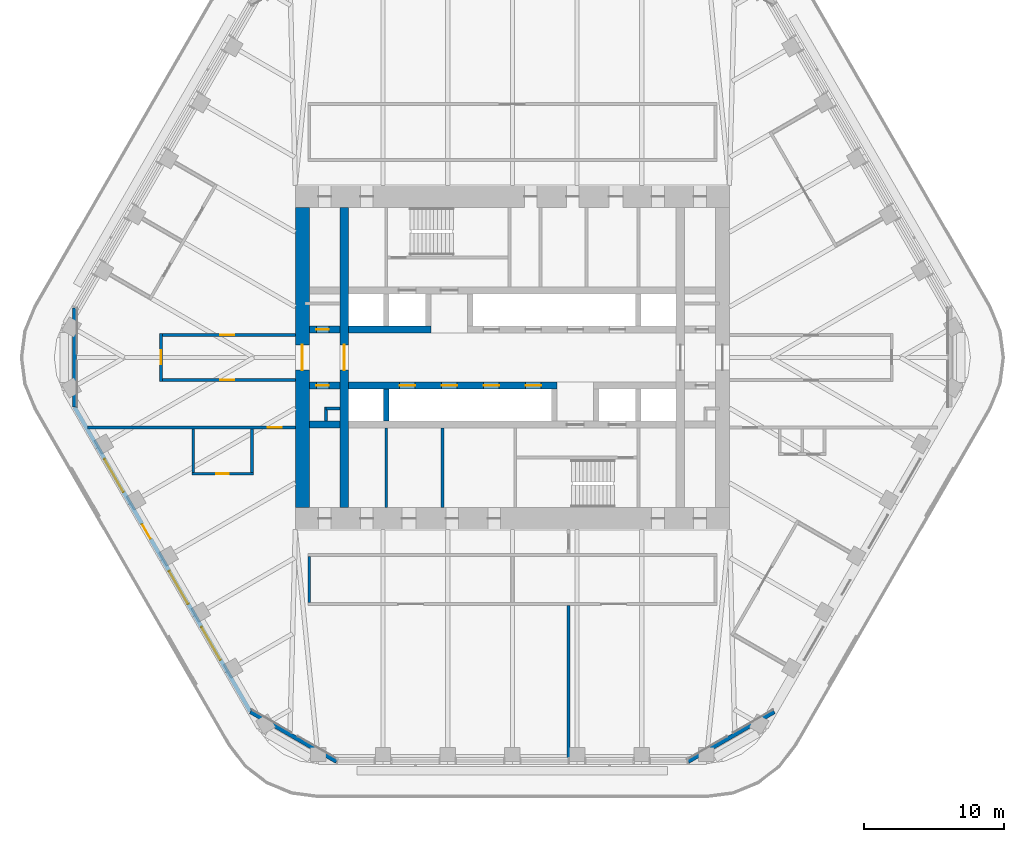
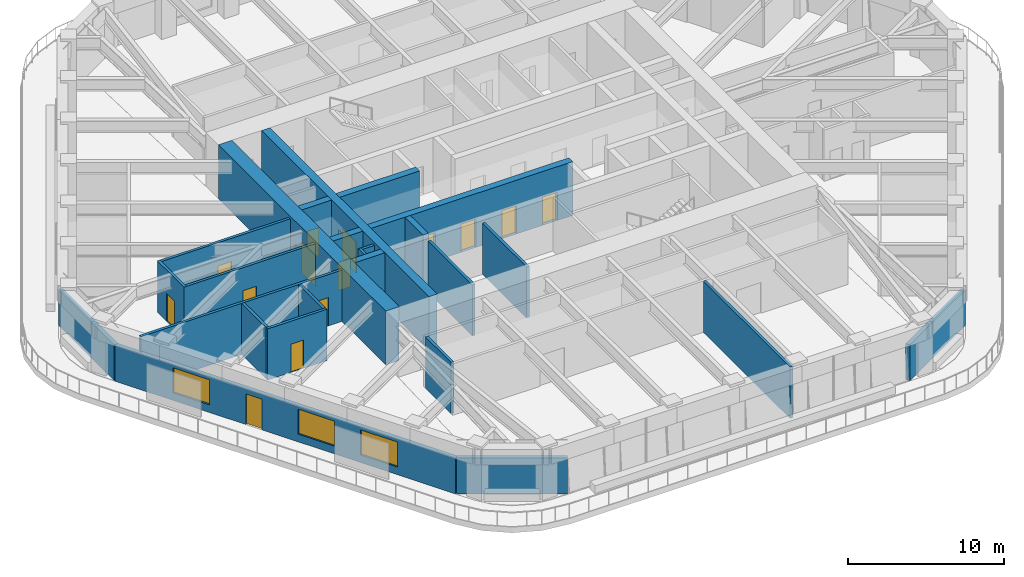
# One storey, part 14 of 20: 25 walls, 14 doors, 3 windows, 17 openings.
"""IFC4 building model written with IfcOpenShell, lengths in metres."""

from ifc_helpers import new_model, si_unit, direction, frame, frame_2d, origin, place, context, subcontext, project, spatial, rectangle, extrude, material, layer, layer_set, type_object, element, fill, save


model = new_model("IFC4")

# Units and contexts
model_context = context("Model", 3, precision=1e-05, world=origin(), true_north=direction((0.0, 1.0)))
body_context = subcontext(model_context, "Body", "Model", "MODEL_VIEW")
ifc_project = project(units=[si_unit("LENGTHUNIT", "METRE"), si_unit("AREAUNIT", "SQUARE_METRE"), si_unit("VOLUMEUNIT", "CUBIC_METRE"), si_unit("PLANEANGLEUNIT", "RADIAN"), si_unit("MASSUNIT", "GRAM", prefix="KILO")], contexts=[model_context])

# Site, building, storey
site_placement = place(None, origin())
site = spatial("IfcSite", under=ifc_project, at=site_placement, CompositionType="ELEMENT")
building_placement = place(site_placement, origin())
building = spatial("IfcBuilding", under=site, at=building_placement, Name="Tarfa Lantern Tower", CompositionType="ELEMENT")
storey_placement = place(building_placement, frame((0.0, 0.0, 286.89990234375)))
storey = spatial("IfcBuildingStorey", under=building, at=storey_placement, Name="L65", CompositionType="ELEMENT", Elevation=286.89990234375)

# Walls
ifc_material_1 = material(Name="Limestone cladding on blockwork", Category="masonry")
ifc_layer_1 = layer(ifc_material_1, 0.300048828125)
ifc_layer_set_1 = layer_set([ifc_layer_1], Name="EW1 STONE-CLAD WALL 300")
wall_type_1 = type_object("IfcWallType", Name="EW1 STONE-CLAD WALL 300", PredefinedType="SOLIDWALL", material=ifc_layer_set_1)
wall_1_placement = place(storey_placement, frame((-31.262939453125, 3.55078125, 0.0), z_axis=(0.0, 0.0, 1.0), x_axis=(0.0, -1.0, 0.0)))
element("IfcWall", 1, at=wall_1_placement, inside=storey, type_object=wall_type_1, Name="Garden wall NW-SW", PredefinedType="SOLIDWALL", context=body_context, shape_type="SweptSolid", body=[
    extrude(rectangle(XDim=7.1015625, YDim=0.300048828125, at=frame_2d((3.55078125, 0.0))), origin(), (0.0, 0.0, 1.0), 2.800048828125),
])
for number, where, z_axis, x_axis, name in (
    (2, (-18.70654296875, -25.299072265625, 0.0), (0.0, 0.0, 1.0), (0.866010973379, -0.500024993363, 0.0), "Garden wall SW-S"),
    (3, (12.556396484375, -28.85009765625, 0.0), (0.0, 0.0, 1.0), (0.866010973379, 0.500024993363, 0.0), "Garden wall S-SE"),
):
    element("IfcWall", number, at=place(storey_placement, frame(where, z_axis=z_axis, x_axis=x_axis)), inside=storey, type_object=wall_type_1, Name=name, PredefinedType="SOLIDWALL", context=body_context, shape_type="SweptSolid", body=[
        extrude(rectangle(XDim=7.101806640625, YDim=0.300048828125, at=frame_2d((3.55078125, 0.0))), origin(), (0.0, 0.0, 1.0), 2.800048828125),
    ])

# Wall, openings, door, windows
wall_2_placement = place(storey_placement, frame((-31.262939453125, -3.55078125, 0.0), z_axis=(0.0, 0.0, 1.0), x_axis=(0.500000442367, -0.866025148383, 0.0)))
wall_2 = element("IfcWall", 4, at=wall_2_placement, inside=storey, type_object=wall_type_1, Name="Stone wall SW", PredefinedType="SOLIDWALL", context=body_context, shape_type="SweptSolid", body=[
    extrude(rectangle(XDim=25.11279296875, YDim=0.300048828125, at=frame_2d((12.556396484375, 0.0))), origin(), (0.0, 0.0, 1.0), 2.800048828125),
])
opening_1_placement = place(wall_2_placement, frame((4.2783203125, 0.0, 0.60009765625)))
opening_1 = element("IfcOpeningElement", 5, at=opening_1_placement, cuts=wall_2, Name="Opening W14", PredefinedType="OPENING", context=body_context, shape_type="SweptSolid", body=[
    extrude(rectangle(XDim=2.699951171875, YDim=1.949951171875, at=frame_2d((1.35009765625, 0.97509765625))), frame((0.0, 0.159912109375, 0.0), z_axis=(0.0, -1.0, 0.0), x_axis=(1.0, 0.0, 0.0)), (0.0, 0.0, 1.0), 0.320068359375),
])
opening_2_placement = place(wall_2_placement, frame((9.64697265625, 0.0, 0.0)))
opening_2 = element("IfcOpeningElement", 6, at=opening_2_placement, cuts=wall_2, Name="Opening D48", PredefinedType="OPENING", context=body_context, shape_type="SweptSolid", body=[
    extrude(rectangle(XDim=1.199951171875, YDim=2.39990234375, at=frame_2d((0.60009765625, 1.199951171875))), frame((0.0, 0.159912109375, 0.0), z_axis=(0.0, -1.0, 0.0), x_axis=(1.0, 0.0, 0.0)), (0.0, 0.0, 1.0), 0.320068359375),
])
opening_3_placement = place(wall_2_placement, frame((13.515869140625, 0.0, 0.60009765625)))
opening_3 = element("IfcOpeningElement", 7, at=opening_3_placement, cuts=wall_2, Name="Opening W14", PredefinedType="OPENING", context=body_context, shape_type="SweptSolid", body=[
    extrude(rectangle(XDim=2.699951171875, YDim=1.949951171875, at=frame_2d((1.35009765625, 0.97509765625))), frame((0.0, 0.159912109375, 0.0), z_axis=(0.0, -1.0, 0.0), x_axis=(1.0, 0.0, 0.0)), (0.0, 0.0, 1.0), 0.320068359375),
])
opening_4_placement = place(wall_2_placement, frame((18.134521484375, 0.0, 0.60009765625)))
opening_4 = element("IfcOpeningElement", 8, at=opening_4_placement, cuts=wall_2, Name="Opening W14", PredefinedType="OPENING", context=body_context, shape_type="SweptSolid", body=[
    extrude(rectangle(XDim=2.699951171875, YDim=1.949951171875, at=frame_2d((1.35009765625, 0.97509765625))), frame((0.0, 0.159912109375, 0.0), z_axis=(0.0, -1.0, 0.0), x_axis=(1.0, 0.0, 0.0)), (0.0, 0.0, 1.0), 0.320068359375),
])
ifc_material_2 = material(Name="Aluminium framed glazed door", Category="aluminium")
door_type_1 = type_object("IfcDoorType", Name="BE3 BALCONY DOOR 1200x2400", OperationType="SINGLE_SWING_RIGHT", PredefinedType="DOOR", material=ifc_material_2)
door_1_placement = place(opening_2_placement, origin())
door_1 = element("IfcDoor", 9, at=door_1_placement, inside=storey, type_object=door_type_1, Name="Balcony door SW", OperationType="SINGLE_SWING_RIGHT", OverallHeight=2.39990234375, OverallWidth=1.199951171875, PredefinedType="DOOR", context=body_context, shape_type="SweptSolid", body=[
    extrude(rectangle(XDim=1.199951171875, YDim=2.39990234375, at=frame_2d((0.60009765625, 1.199951171875))), frame((0.0, 0.02490234375, 0.0), z_axis=(0.0, -1.0, 0.0), x_axis=(1.0, 0.0, 0.0)), (0.0, 0.0, 1.0), 0.050048828125),
])
fill(opening_2, door_1)
ifc_material_3 = material(Name="Aluminium frame, double glazed", Category="aluminium")
window_type = type_object("IfcWindowType", Name="W14 FULL-HEIGHT GLAZING 2700x1950", PartitioningType="SINGLE_PANEL", PredefinedType="WINDOW", material=ifc_material_3)
window_1_placement = place(opening_1_placement, origin())
window_1 = element("IfcWindow", 10, at=window_1_placement, inside=storey, type_object=window_type, Name="Window SW 2", OverallHeight=1.949951171875, OverallWidth=2.699951171875, PartitioningType="SINGLE_PANEL", PredefinedType="WINDOW", context=body_context, shape_type="SweptSolid", body=[
    extrude(rectangle(XDim=2.699951171875, YDim=1.949951171875, at=frame_2d((1.35009765625, 0.97509765625))), frame((0.0, 0.030029296875, 0.0), z_axis=(0.0, -1.0, 0.0), x_axis=(1.0, 0.0, 0.0)), (0.0, 0.0, 1.0), 0.06005859375),
])
fill(opening_1, window_1)
window_2_placement = place(opening_3_placement, origin())
window_2 = element("IfcWindow", 11, at=window_2_placement, inside=storey, type_object=window_type, Name="Window SW 4", OverallHeight=1.949951171875, OverallWidth=2.699951171875, PartitioningType="SINGLE_PANEL", PredefinedType="WINDOW", context=body_context, shape_type="SweptSolid", body=[
    extrude(rectangle(XDim=2.699951171875, YDim=1.949951171875, at=frame_2d((1.35009765625, 0.97509765625))), frame((0.0, 0.030029296875, 0.0), z_axis=(0.0, -1.0, 0.0), x_axis=(1.0, 0.0, 0.0)), (0.0, 0.0, 1.0), 0.06005859375),
])
fill(opening_3, window_2)
window_3_placement = place(opening_4_placement, origin())
window_3 = element("IfcWindow", 12, at=window_3_placement, inside=storey, type_object=window_type, Name="Window SW 5", OverallHeight=1.949951171875, OverallWidth=2.699951171875, PartitioningType="SINGLE_PANEL", PredefinedType="WINDOW", context=body_context, shape_type="SweptSolid", body=[
    extrude(rectangle(XDim=2.699951171875, YDim=1.949951171875, at=frame_2d((1.35009765625, 0.97509765625))), frame((0.0, 0.030029296875, 0.0), z_axis=(0.0, -1.0, 0.0), x_axis=(1.0, 0.0, 0.0)), (0.0, 0.0, 1.0), 0.06005859375),
])
fill(opening_4, window_3)

# Walls
ifc_material_4 = material(Name="Concrete blockwork", Category="masonry")
ifc_layer_2 = layer(ifc_material_4, 0.199951171875)
ifc_layer_set_2 = layer_set([ifc_layer_2], Name="IW1 BLOCKWORK PARTITION 200 EI 120")
wall_type_2 = type_object("IfcWallType", Name="IW1 BLOCKWORK PARTITION 200 EI 120", PredefinedType="PARTITIONING", material=ifc_layer_set_2)
for number, where, z_axis, x_axis, name in (
    (13, (-9.0, -5.050048828125, 0.0), (0.0, 0.0, 1.0), (0.0, -1.0, 0.0), "Core partition"),
    (14, (-5.0, -5.050048828125, 0.0), (0.0, 0.0, 1.0), (0.0, -1.0, 0.0), "Core partition"),
):
    element("IfcWall", number, at=place(storey_placement, frame(where, z_axis=z_axis, x_axis=x_axis)), inside=storey, type_object=wall_type_2, Name=name, PredefinedType="PARTITIONING", context=body_context, shape_type="SweptSolid", body=[
        extrude(rectangle(XDim=5.64990234375, YDim=0.199951171875, at=frame_2d((2.824951171875, 0.0))), origin(), (0.0, 0.0, 1.0), 4.0),
    ])
for number, where, z_axis, x_axis, name in (
    (15, (-12.300048828125, -3.64990234375, 0.0), (0.0, 0.0, 1.0), (-1.0, 0.0, 0.0), "Core partition"),
    (16, (-13.300048828125, -3.550048828125, 0.0), (0.0, 0.0, 1.0), (0.0, -1.0, 0.0), "Core partition"),
):
    element("IfcWall", number, at=place(storey_placement, frame(where, z_axis=z_axis, x_axis=x_axis)), inside=storey, type_object=wall_type_2, Name=name, PredefinedType="PARTITIONING", context=body_context, shape_type="SweptSolid", body=[
        extrude(rectangle(XDim=1.0, YDim=0.199951171875, at=frame_2d((0.5, 0.0))), origin(), (0.0, 0.0, 1.0), 4.0),
    ])
ifc_material_5 = material(Name="Gypsum board on steel studs", Category="steel")
ifc_layer_3 = layer(ifc_material_5, 0.2099609375)
ifc_layer_set_3 = layer_set([ifc_layer_3], Name="IW2 ACOUSTIC PARTITION 200")
wall_type_3 = type_object("IfcWallType", Name="IW2 ACOUSTIC PARTITION 200", PredefinedType="PARTITIONING", material=ifc_layer_set_3)
wall_3_placement = place(storey_placement, frame((-14.5, -14.199951171875, 0.0), z_axis=(0.0, 0.0, 1.0), x_axis=(0.0, -1.0, 0.0)))
element("IfcWall", 17, at=wall_3_placement, inside=storey, type_object=wall_type_3, Name="Partition", PredefinedType="PARTITIONING", context=body_context, shape_type="SweptSolid", body=[
    extrude(rectangle(XDim=3.300048828125, YDim=0.199951171875, at=frame_2d((1.64990234375, 0.0))), origin(), (0.0, 0.0, 1.0), 4.0),
])

# Wall, opening, door
wall_4_placement = place(storey_placement, frame((-15.5, 1.60009765625, 0.0), z_axis=(0.0, 0.0, 1.0), x_axis=(-1.0, 0.0, 0.0)))
wall_4 = element("IfcWall", 18, at=wall_4_placement, inside=storey, type_object=wall_type_3, Name="Partition", PredefinedType="PARTITIONING", context=body_context, shape_type="SweptSolid", body=[
    extrude(rectangle(XDim=9.699951171875, YDim=0.199951171875, at=frame_2d((4.85009765625, 0.0))), origin(), (0.0, 0.0, 1.0), 4.0),
])
opening_5_placement = place(wall_4_placement, frame((4.35009765625, 0.0, 0.0)))
opening_5 = element("IfcOpeningElement", 19, at=opening_5_placement, cuts=wall_4, Name="Opening D41", PredefinedType="OPENING", context=body_context, shape_type="SweptSolid", body=[
    extrude(rectangle(XDim=1.0, YDim=2.199951171875, at=frame_2d((0.5, 1.10009765625))), frame((0.0, 0.10986328125, 0.0), z_axis=(0.0, -1.0, 0.0), x_axis=(1.0, 0.0, 0.0)), (0.0, 0.0, 1.0), 0.219970703125),
])
ifc_material_6 = material(Name="Timber door", Category="wood")
door_type_2 = type_object("IfcDoorType", Name="DR1 ROOM DOOR 1000x2200", OperationType="SINGLE_SWING_LEFT", PredefinedType="DOOR", material=ifc_material_6)
door_2_placement = place(opening_5_placement, frame((1.0, 0.0, 0.0), z_axis=(0.0, 0.0, 1.0), x_axis=(-1.0, 0.0, 0.0)))
door_2 = element("IfcDoor", 20, at=door_2_placement, inside=storey, type_object=door_type_2, Name="Corridor door", OperationType="SINGLE_SWING_LEFT", OverallHeight=2.199951171875, OverallWidth=1.0, PredefinedType="DOOR", context=body_context, shape_type="SweptSolid", body=[
    extrude(rectangle(XDim=1.0, YDim=2.199951171875, at=frame_2d((0.5, 1.10009765625))), frame((0.0, 0.02490234375, 0.0), z_axis=(0.0, -1.0, 0.0), x_axis=(1.0, 0.0, 0.0)), (0.0, 0.0, 1.0), 0.050048828125),
])
fill(opening_5, door_2)

wall_5_placement = place(storey_placement, frame((-15.5, -1.60009765625, 0.0), z_axis=(0.0, 0.0, 1.0), x_axis=(-1.0, 0.0, 0.0)))
wall_5 = element("IfcWall", 21, at=wall_5_placement, inside=storey, type_object=wall_type_3, Name="Partition", PredefinedType="PARTITIONING", context=body_context, shape_type="SweptSolid", body=[
    extrude(rectangle(XDim=9.699951171875, YDim=0.199951171875, at=frame_2d((4.85009765625, 0.0))), origin(), (0.0, 0.0, 1.0), 4.0),
])
opening_6_placement = place(wall_5_placement, frame((4.35009765625, 0.0, 0.0)))
opening_6 = element("IfcOpeningElement", 22, at=opening_6_placement, cuts=wall_5, Name="Opening D42", PredefinedType="OPENING", context=body_context, shape_type="SweptSolid", body=[
    extrude(rectangle(XDim=1.0, YDim=2.199951171875, at=frame_2d((0.5, 1.10009765625))), frame((0.0, 0.10986328125, 0.0), z_axis=(0.0, -1.0, 0.0), x_axis=(1.0, 0.0, 0.0)), (0.0, 0.0, 1.0), 0.219970703125),
])
door_3_placement = place(opening_6_placement, origin())
door_3 = element("IfcDoor", 23, at=door_3_placement, inside=storey, type_object=door_type_2, Name="Corridor door", OperationType="SINGLE_SWING_RIGHT", OverallHeight=2.199951171875, OverallWidth=1.0, PredefinedType="DOOR", context=body_context, shape_type="SweptSolid", body=[
    extrude(rectangle(XDim=1.0, YDim=2.199951171875, at=frame_2d((0.5, 1.10009765625))), frame((0.0, 0.02490234375, 0.0), z_axis=(0.0, -1.0, 0.0), x_axis=(1.0, 0.0, 0.0)), (0.0, 0.0, 1.0), 0.050048828125),
])
fill(opening_6, door_3)

wall_6_placement = place(storey_placement, frame((-25.10009765625, -1.699951171875, 0.0), z_axis=(0.0, 0.0, 1.0), x_axis=(0.0, 1.0, 0.0)))
wall_6 = element("IfcWall", 24, at=wall_6_placement, inside=storey, type_object=wall_type_3, Name="Partition", PredefinedType="PARTITIONING", context=body_context, shape_type="SweptSolid", body=[
    extrude(rectangle(XDim=3.39990234375, YDim=0.199951171875, at=frame_2d((1.699951171875, 0.0))), origin(), (0.0, 0.0, 1.0), 4.0),
])
opening_7_placement = place(wall_6_placement, frame((1.199951171875, 0.0, 0.0)))
opening_7 = element("IfcOpeningElement", 25, at=opening_7_placement, cuts=wall_6, Name="Opening D40", PredefinedType="OPENING", context=body_context, shape_type="SweptSolid", body=[
    extrude(rectangle(XDim=1.0, YDim=2.199951171875, at=frame_2d((0.5, 1.10009765625))), frame((0.0, 0.10986328125, 0.0), z_axis=(0.0, -1.0, 0.0), x_axis=(1.0, 0.0, 0.0)), (0.0, 0.0, 1.0), 0.219970703125),
])
door_4_placement = place(opening_7_placement, origin())
door_4 = element("IfcDoor", 26, at=door_4_placement, inside=storey, type_object=door_type_2, Name="Corridor door", OperationType="SINGLE_SWING_RIGHT", OverallHeight=2.199951171875, OverallWidth=1.0, PredefinedType="DOOR", context=body_context, shape_type="SweptSolid", body=[
    extrude(rectangle(XDim=1.0, YDim=2.199951171875, at=frame_2d((0.5, 1.10009765625))), frame((0.0, 0.02490234375, 0.0), z_axis=(0.0, -1.0, 0.0), x_axis=(1.0, 0.0, 0.0)), (0.0, 0.0, 1.0), 0.050048828125),
])
fill(opening_7, door_4)

# Wall
wall_7_placement = place(storey_placement, frame((4.0, -17.699951171875, 0.0), z_axis=(0.0, 0.0, 1.0), x_axis=(0.0, -1.0, 0.0)))
element("IfcWall", 27, at=wall_7_placement, inside=storey, type_object=wall_type_3, Name="Partition", PredefinedType="PARTITIONING", context=body_context, shape_type="SweptSolid", body=[
    extrude(rectangle(XDim=11.10009765625, YDim=0.199951171875, at=frame_2d((5.550048828125, 0.0))), origin(), (0.0, 0.0, 1.0), 4.0),
])

# Wall, opening, door
wall_8_placement = place(storey_placement, frame((-15.5, -5.0, 0.0), z_axis=(0.0, 0.0, 1.0), x_axis=(-1.0, 0.0, 0.0)))
wall_8 = element("IfcWall", 28, at=wall_8_placement, inside=storey, type_object=wall_type_3, Name="Partition", PredefinedType="PARTITIONING", context=body_context, shape_type="SweptSolid", body=[
    extrude(rectangle(XDim=14.845458984375, YDim=0.199951171875, at=frame_2d((7.4228515625, 0.0))), origin(), (0.0, 0.0, 1.0), 4.0),
])
opening_8_placement = place(wall_8_placement, frame((0.984619140625, 0.0, 0.0)))
opening_8 = element("IfcOpeningElement", 29, at=opening_8_placement, cuts=wall_8, Name="Opening D45", PredefinedType="OPENING", context=body_context, shape_type="SweptSolid", body=[
    extrude(rectangle(XDim=1.0, YDim=2.199951171875, at=frame_2d((0.5, 1.10009765625))), frame((0.0, 0.10986328125, 0.0), z_axis=(0.0, -1.0, 0.0), x_axis=(1.0, 0.0, 0.0)), (0.0, 0.0, 1.0), 0.219970703125),
])
door_5_placement = place(opening_8_placement, origin())
door_5 = element("IfcDoor", 30, at=door_5_placement, inside=storey, type_object=door_type_2, Name="Zone door", OperationType="SINGLE_SWING_RIGHT", OverallHeight=2.199951171875, OverallWidth=1.0, PredefinedType="DOOR", context=body_context, shape_type="SweptSolid", body=[
    extrude(rectangle(XDim=1.0, YDim=2.199951171875, at=frame_2d((0.5, 1.10009765625))), frame((0.0, 0.02490234375, 0.0), z_axis=(0.0, -1.0, 0.0), x_axis=(1.0, 0.0, 0.0)), (0.0, 0.0, 1.0), 0.050048828125),
])
fill(opening_8, door_5)

wall_9_placement = place(storey_placement, frame((-18.495849609375, -8.300048828125, 0.0), z_axis=(0.0, 0.0, 1.0), x_axis=(-1.0, 0.0, 0.0)))
wall_9 = element("IfcWall", 31, at=wall_9_placement, inside=storey, type_object=wall_type_3, Name="Partition", PredefinedType="PARTITIONING", context=body_context, shape_type="SweptSolid", body=[
    extrude(rectangle(XDim=4.400146484375, YDim=0.199951171875, at=frame_2d((2.2001953125, 0.0))), origin(), (0.0, 0.0, 1.0), 4.0),
])
opening_9_placement = place(wall_9_placement, frame((1.75, 0.0, 0.0)))
opening_9 = element("IfcOpeningElement", 32, at=opening_9_placement, cuts=wall_9, Name="Opening D36", PredefinedType="OPENING", context=body_context, shape_type="SweptSolid", body=[
    extrude(rectangle(XDim=0.89990234375, YDim=2.199951171875, at=frame_2d((0.449951171875, 1.10009765625))), frame((0.0, 0.10986328125, 0.0), z_axis=(0.0, -1.0, 0.0), x_axis=(1.0, 0.0, 0.0)), (0.0, 0.0, 1.0), 0.219970703125),
])
door_type_3 = type_object("IfcDoorType", Name="DR3 ROOM DOOR 900x2200", OperationType="SINGLE_SWING_LEFT", PredefinedType="DOOR", material=ifc_material_6)
door_6_placement = place(opening_9_placement, frame((0.89990234375, 0.0, 0.0), z_axis=(0.0, 0.0, 1.0), x_axis=(-1.0, 0.0, 0.0)))
door_6 = element("IfcDoor", 33, at=door_6_placement, inside=storey, type_object=door_type_3, Name="Breakout pantry door", OperationType="SINGLE_SWING_LEFT", OverallHeight=2.199951171875, OverallWidth=0.89990234375, PredefinedType="DOOR", context=body_context, shape_type="SweptSolid", body=[
    extrude(rectangle(XDim=0.89990234375, YDim=2.199951171875, at=frame_2d((0.449951171875, 1.10009765625))), frame((0.0, 0.02490234375, 0.0), z_axis=(0.0, -1.0, 0.0), x_axis=(1.0, 0.0, 0.0)), (0.0, 0.0, 1.0), 0.050048828125),
])
fill(opening_9, door_6)

# Walls
for number, where, z_axis, x_axis, name in (
    (34, (-18.595947265625, -5.10009765625, 0.0), (0.0, 0.0, 1.0), (0.0, -1.0, 0.0), "Partition"),
    (35, (-22.7958984375, -5.10009765625, 0.0), (0.0, 0.0, 1.0), (0.0, -1.0, 0.0), "Partition"),
):
    element("IfcWall", number, at=place(storey_placement, frame(where, z_axis=z_axis, x_axis=x_axis)), inside=storey, type_object=wall_type_3, Name=name, PredefinedType="PARTITIONING", context=body_context, shape_type="SweptSolid", body=[
        extrude(rectangle(XDim=3.099853515625, YDim=0.199951171875, at=frame_2d((1.5498046875, 0.0))), origin(), (0.0, 0.0, 1.0), 4.0),
    ])

# Wall, opening, door
ifc_material_7 = material(Name="Concrete C80/95", Category="concrete")
ifc_layer_4 = layer(ifc_material_7, 1.0)
ifc_layer_set_4 = layer_set([ifc_layer_4], Name="SW2 CORE WALL 1000")
wall_type_4 = type_object("IfcWallType", Name="SW2 CORE WALL 1000", PredefinedType="SHEAR", material=ifc_layer_set_4)
wall_10_placement = place(storey_placement, frame((-15.0, 10.699951171875, 0.0), z_axis=(0.0, 0.0, 1.0), x_axis=(0.0, -1.0, 0.0)))
wall_10 = element("IfcWall", 36, at=wall_10_placement, inside=storey, type_object=wall_type_4, Name="Core wall W", PredefinedType="SHEAR", context=body_context, shape_type="SweptSolid", body=[
    extrude(rectangle(XDim=21.39990234375, YDim=1.0, at=frame_2d((10.699951171875, 0.0))), origin(), (0.0, 0.0, 1.0), 4.2001953125),
])
opening_10_placement = place(wall_10_placement, frame((9.800048828125, 0.0, 0.0)))
opening_10 = element("IfcOpeningElement", 37, at=opening_10_placement, cuts=wall_10, Name="Opening D12", PredefinedType="OPENING", context=body_context, shape_type="SweptSolid", body=[
    extrude(rectangle(XDim=1.800048828125, YDim=2.39990234375, at=frame_2d((0.89990234375, 1.199951171875))), frame((0.0, 0.510009765625, 0.0), z_axis=(0.0, -1.0, 0.0), x_axis=(1.0, 0.0, 0.0)), (0.0, 0.0, 1.0), 1.02001953125),
])
ifc_material_8 = material(Name="Steel fire door", Category="steel")
door_type_4 = type_object("IfcDoorType", Name="DL1 LOBBY DOOR 1800x2400", OperationType="DOUBLE_DOOR_SINGLE_SWING", PredefinedType="DOOR", material=ifc_material_8)
door_7_placement = place(opening_10_placement, frame((1.800048828125, 0.0, 0.0), z_axis=(0.0, 0.0, 1.0), x_axis=(-1.0, 0.0, 0.0)))
door_7 = element("IfcDoor", 38, at=door_7_placement, inside=storey, type_object=door_type_4, Name="Lift lobby door", OperationType="DOUBLE_DOOR_SINGLE_SWING", OverallHeight=2.39990234375, OverallWidth=1.800048828125, PredefinedType="DOOR", context=body_context, shape_type="SweptSolid", body=[
    extrude(rectangle(XDim=1.800048828125, YDim=2.39990234375, at=frame_2d((0.89990234375, 1.199951171875))), frame((0.0, 0.02490234375, 0.0), z_axis=(0.0, -1.0, 0.0), x_axis=(1.0, 0.0, 0.0)), (0.0, 0.0, 1.0), 0.050048828125),
])
fill(opening_10, door_7)

ifc_layer_5 = layer(ifc_material_7, 0.5)
ifc_layer_set_5 = layer_set([ifc_layer_5], Name="SW5 CORE WALL 500")
wall_type_5 = type_object("IfcWallType", Name="SW5 CORE WALL 500", PredefinedType="SHEAR", material=ifc_layer_set_5)
wall_11_placement = place(storey_placement, frame((-14.5, 2.0, 0.0), z_axis=(0.0, 0.0, 1.0), x_axis=(1.0, 0.0, 0.0)))
wall_11 = element("IfcWall", 39, at=wall_11_placement, inside=storey, type_object=wall_type_5, Name="Core wall lobby west N", PredefinedType="SHEAR", context=body_context, shape_type="SweptSolid", body=[
    extrude(rectangle(XDim=2.199951171875, YDim=0.5, at=frame_2d((1.10009765625, 0.0))), origin(), (0.0, 0.0, 1.0), 4.2001953125),
])
opening_11_placement = place(wall_11_placement, frame((0.5, 0.0, 0.0)))
opening_11 = element("IfcOpeningElement", 40, at=opening_11_placement, cuts=wall_11, Name="Opening D15", PredefinedType="OPENING", context=body_context, shape_type="SweptSolid", body=[
    extrude(rectangle(XDim=0.89990234375, YDim=2.199951171875, at=frame_2d((0.449951171875, 1.10009765625))), frame((0.0, 0.260009765625, 0.0), z_axis=(0.0, -1.0, 0.0), x_axis=(1.0, 0.0, 0.0)), (0.0, 0.0, 1.0), 0.52001953125),
])
door_type_5 = type_object("IfcDoorType", Name="DF6 SERVICE ROOM DOOR 900x2200", OperationType="SINGLE_SWING_LEFT", PredefinedType="DOOR", material=ifc_material_8)
door_8_placement = place(opening_11_placement, origin())
door_8 = element("IfcDoor", 41, at=door_8_placement, inside=storey, type_object=door_type_5, Name="Service room door", OperationType="SINGLE_SWING_RIGHT", OverallHeight=2.199951171875, OverallWidth=0.89990234375, PredefinedType="DOOR", context=body_context, shape_type="SweptSolid", body=[
    extrude(rectangle(XDim=0.89990234375, YDim=2.199951171875, at=frame_2d((0.449951171875, 1.10009765625))), frame((0.0, 0.02490234375, 0.0), z_axis=(0.0, -1.0, 0.0), x_axis=(1.0, 0.0, 0.0)), (0.0, 0.0, 1.0), 0.050048828125),
])
fill(opening_11, door_8)

# Wall
wall_12_placement = place(storey_placement, frame((-11.699951171875, 2.0, 0.0), z_axis=(0.0, 0.0, 1.0), x_axis=(1.0, 0.0, 0.0)))
element("IfcWall", 42, at=wall_12_placement, inside=storey, type_object=wall_type_5, Name="Core wall lobby west N", PredefinedType="SHEAR", context=body_context, shape_type="SweptSolid", body=[
    extrude(rectangle(XDim=5.89990234375, YDim=0.5, at=frame_2d((2.949951171875, 0.0))), origin(), (0.0, 0.0, 1.0), 4.2001953125),
])

# Wall, openings, doors
wall_13_placement = place(storey_placement, frame((3.199951171875, -2.0, 0.0), z_axis=(0.0, 0.0, 1.0), x_axis=(-1.0, 0.0, 0.0)))
wall_13 = element("IfcWall", 43, at=wall_13_placement, inside=storey, type_object=wall_type_5, Name="Core wall lobby east S", PredefinedType="SHEAR", context=body_context, shape_type="SweptSolid", body=[
    extrude(rectangle(XDim=14.89990234375, YDim=0.5, at=frame_2d((7.449951171875, 0.0))), origin(), (0.0, 0.0, 1.0), 4.2001953125),
])
opening_12_placement = place(wall_13_placement, frame((1.14990234375, 0.0, 0.0)))
opening_12 = element("IfcOpeningElement", 44, at=opening_12_placement, cuts=wall_13, Name="Opening LD07", PredefinedType="OPENING", context=body_context, shape_type="SweptSolid", body=[
    extrude(rectangle(XDim=1.10009765625, YDim=2.199951171875, at=frame_2d((0.550048828125, 1.10009765625))), frame((0.0, 0.260009765625, 0.0), z_axis=(0.0, -1.0, 0.0), x_axis=(1.0, 0.0, 0.0)), (0.0, 0.0, 1.0), 0.52001953125),
])
opening_13_placement = place(wall_13_placement, frame((4.14990234375, 0.0, 0.0)))
opening_13 = element("IfcOpeningElement", 45, at=opening_13_placement, cuts=wall_13, Name="Opening LD08", PredefinedType="OPENING", context=body_context, shape_type="SweptSolid", body=[
    extrude(rectangle(XDim=1.10009765625, YDim=2.199951171875, at=frame_2d((0.550048828125, 1.10009765625))), frame((0.0, 0.260009765625, 0.0), z_axis=(0.0, -1.0, 0.0), x_axis=(1.0, 0.0, 0.0)), (0.0, 0.0, 1.0), 0.52001953125),
])
opening_14_placement = place(wall_13_placement, frame((7.14990234375, 0.0, 0.0)))
opening_14 = element("IfcOpeningElement", 46, at=opening_14_placement, cuts=wall_13, Name="Opening LD09", PredefinedType="OPENING", context=body_context, shape_type="SweptSolid", body=[
    extrude(rectangle(XDim=1.10009765625, YDim=2.199951171875, at=frame_2d((0.550048828125, 1.10009765625))), frame((0.0, 0.260009765625, 0.0), z_axis=(0.0, -1.0, 0.0), x_axis=(1.0, 0.0, 0.0)), (0.0, 0.0, 1.0), 0.52001953125),
])
opening_15_placement = place(wall_13_placement, frame((10.14990234375, 0.0, 0.0)))
opening_15 = element("IfcOpeningElement", 47, at=opening_15_placement, cuts=wall_13, Name="Opening LD10", PredefinedType="OPENING", context=body_context, shape_type="SweptSolid", body=[
    extrude(rectangle(XDim=1.10009765625, YDim=2.199951171875, at=frame_2d((0.550048828125, 1.10009765625))), frame((0.0, 0.260009765625, 0.0), z_axis=(0.0, -1.0, 0.0), x_axis=(1.0, 0.0, 0.0)), (0.0, 0.0, 1.0), 0.52001953125),
])
ifc_material_9 = material(Name="Stainless steel lift door", Category="steel")
door_type_6 = type_object("IfcDoorType", Name="LD2 LIFT LANDING DOOR 1100x2200", OperationType="SLIDING_TO_LEFT", PredefinedType="DOOR", material=ifc_material_9)
door_9_placement = place(opening_12_placement, frame((1.10009765625, 0.0, 0.0), z_axis=(0.0, 0.0, 1.0), x_axis=(-1.0, 0.0, 0.0)))
door_9 = element("IfcDoor", 48, at=door_9_placement, inside=storey, type_object=door_type_6, Name="Landing door PC5", OperationType="SLIDING_TO_LEFT", OverallHeight=2.199951171875, OverallWidth=1.10009765625, PredefinedType="DOOR", context=body_context, shape_type="SweptSolid", body=[
    extrude(rectangle(XDim=1.10009765625, YDim=2.199951171875, at=frame_2d((0.550048828125, 1.10009765625))), frame((0.0, 0.02490234375, 0.0), z_axis=(0.0, -1.0, 0.0), x_axis=(1.0, 0.0, 0.0)), (0.0, 0.0, 1.0), 0.050048828125),
])
fill(opening_12, door_9)
door_10_placement = place(opening_13_placement, frame((1.10009765625, 0.0, 0.0), z_axis=(0.0, 0.0, 1.0), x_axis=(-1.0, 0.0, 0.0)))
door_10 = element("IfcDoor", 49, at=door_10_placement, inside=storey, type_object=door_type_6, Name="Landing door PC6", OperationType="SLIDING_TO_LEFT", OverallHeight=2.199951171875, OverallWidth=1.10009765625, PredefinedType="DOOR", context=body_context, shape_type="SweptSolid", body=[
    extrude(rectangle(XDim=1.10009765625, YDim=2.199951171875, at=frame_2d((0.550048828125, 1.10009765625))), frame((0.0, 0.02490234375, 0.0), z_axis=(0.0, -1.0, 0.0), x_axis=(1.0, 0.0, 0.0)), (0.0, 0.0, 1.0), 0.050048828125),
])
fill(opening_13, door_10)
door_11_placement = place(opening_14_placement, frame((1.10009765625, 0.0, 0.0), z_axis=(0.0, 0.0, 1.0), x_axis=(-1.0, 0.0, 0.0)))
door_11 = element("IfcDoor", 50, at=door_11_placement, inside=storey, type_object=door_type_6, Name="Landing door PC7", OperationType="SLIDING_TO_LEFT", OverallHeight=2.199951171875, OverallWidth=1.10009765625, PredefinedType="DOOR", context=body_context, shape_type="SweptSolid", body=[
    extrude(rectangle(XDim=1.10009765625, YDim=2.199951171875, at=frame_2d((0.550048828125, 1.10009765625))), frame((0.0, 0.02490234375, 0.0), z_axis=(0.0, -1.0, 0.0), x_axis=(1.0, 0.0, 0.0)), (0.0, 0.0, 1.0), 0.050048828125),
])
fill(opening_14, door_11)
door_12_placement = place(opening_15_placement, frame((1.10009765625, 0.0, 0.0), z_axis=(0.0, 0.0, 1.0), x_axis=(-1.0, 0.0, 0.0)))
door_12 = element("IfcDoor", 51, at=door_12_placement, inside=storey, type_object=door_type_6, Name="Landing door PC8", OperationType="SLIDING_TO_LEFT", OverallHeight=2.199951171875, OverallWidth=1.10009765625, PredefinedType="DOOR", context=body_context, shape_type="SweptSolid", body=[
    extrude(rectangle(XDim=1.10009765625, YDim=2.199951171875, at=frame_2d((0.550048828125, 1.10009765625))), frame((0.0, 0.02490234375, 0.0), z_axis=(0.0, -1.0, 0.0), x_axis=(1.0, 0.0, 0.0)), (0.0, 0.0, 1.0), 0.050048828125),
])
fill(opening_15, door_12)

# Wall, opening, door
wall_14_placement = place(storey_placement, frame((-12.300048828125, -2.0, 0.0), z_axis=(0.0, 0.0, 1.0), x_axis=(-1.0, 0.0, 0.0)))
wall_14 = element("IfcWall", 52, at=wall_14_placement, inside=storey, type_object=wall_type_5, Name="Core wall lobby east S", PredefinedType="SHEAR", context=body_context, shape_type="SweptSolid", body=[
    extrude(rectangle(XDim=2.199951171875, YDim=0.5, at=frame_2d((1.10009765625, 0.0))), origin(), (0.0, 0.0, 1.0), 4.2001953125),
])
opening_16_placement = place(wall_14_placement, frame((0.800048828125, 0.0, 0.0)))
opening_16 = element("IfcOpeningElement", 53, at=opening_16_placement, cuts=wall_14, Name="Opening D14", PredefinedType="OPENING", context=body_context, shape_type="SweptSolid", body=[
    extrude(rectangle(XDim=0.89990234375, YDim=2.199951171875, at=frame_2d((0.449951171875, 1.10009765625))), frame((0.0, 0.260009765625, 0.0), z_axis=(0.0, -1.0, 0.0), x_axis=(1.0, 0.0, 0.0)), (0.0, 0.0, 1.0), 0.52001953125),
])
door_13_placement = place(opening_16_placement, origin())
door_13 = element("IfcDoor", 54, at=door_13_placement, inside=storey, type_object=door_type_5, Name="Service room door", OperationType="SINGLE_SWING_LEFT", OverallHeight=2.199951171875, OverallWidth=0.89990234375, PredefinedType="DOOR", context=body_context, shape_type="SweptSolid", body=[
    extrude(rectangle(XDim=0.89990234375, YDim=2.199951171875, at=frame_2d((0.449951171875, 1.10009765625))), frame((0.0, 0.02490234375, 0.0), z_axis=(0.0, -1.0, 0.0), x_axis=(1.0, 0.0, 0.0)), (0.0, 0.0, 1.0), 0.050048828125),
])
fill(opening_16, door_13)

# Walls
wall_15_placement = place(storey_placement, frame((-12.300048828125, -4.800048828125, 0.0), z_axis=(0.0, 0.0, 1.0), x_axis=(-1.0, 0.0, 0.0)))
element("IfcWall", 55, at=wall_15_placement, inside=storey, type_object=wall_type_5, Name="Core wall rear S", PredefinedType="SHEAR", context=body_context, shape_type="SweptSolid", body=[
    extrude(rectangle(XDim=2.199951171875, YDim=0.5, at=frame_2d((1.10009765625, 0.0))), origin(), (0.0, 0.0, 1.0), 4.2001953125),
])
ifc_layer_6 = layer(ifc_material_7, 0.39990234375)
ifc_layer_set_6 = layer_set([ifc_layer_6], Name="SW6 CORE WALL 400")
wall_type_6 = type_object("IfcWallType", Name="SW6 CORE WALL 400", PredefinedType="SHEAR", material=ifc_layer_set_6)
wall_16_placement = place(storey_placement, frame((-9.0, -2.25, 0.0), z_axis=(0.0, 0.0, 1.0), x_axis=(0.0, -1.0, 0.0)))
element("IfcWall", 56, at=wall_16_placement, inside=storey, type_object=wall_type_6, Name="Core wall divider S", PredefinedType="SHEAR", context=body_context, shape_type="SweptSolid", body=[
    extrude(rectangle(XDim=2.300048828125, YDim=0.39990234375, at=frame_2d((1.14990234375, 0.0))), origin(), (0.0, 0.0, 1.0), 4.2001953125),
])

# Wall, opening, door
ifc_layer_7 = layer(ifc_material_7, 0.60009765625)
ifc_layer_set_7 = layer_set([ifc_layer_7], Name="SW9 CORE WALL 600")
wall_type_7 = type_object("IfcWallType", Name="SW9 CORE WALL 600", PredefinedType="SHEAR", material=ifc_layer_set_7)
wall_17_placement = place(storey_placement, frame((-12.0, -10.699951171875, 0.0), z_axis=(0.0, 0.0, 1.0), x_axis=(0.0, 1.0, 0.0)))
wall_17 = element("IfcWall", 57, at=wall_17_placement, inside=storey, type_object=wall_type_7, Name="Core wall cross 12 m west", PredefinedType="SHEAR", context=body_context, shape_type="SweptSolid", body=[
    extrude(rectangle(XDim=21.39990234375, YDim=0.60009765625, at=frame_2d((10.699951171875, 0.0))), origin(), (0.0, 0.0, 1.0), 4.2001953125),
])
opening_17_placement = place(wall_17_placement, frame((9.800048828125, 0.0, 0.0)))
opening_17 = element("IfcOpeningElement", 58, at=opening_17_placement, cuts=wall_17, Name="Opening D26", PredefinedType="OPENING", context=body_context, shape_type="SweptSolid", body=[
    extrude(rectangle(XDim=1.800048828125, YDim=2.39990234375, at=frame_2d((0.89990234375, 1.199951171875))), frame((0.0, 0.31005859375, 0.0), z_axis=(0.0, -1.0, 0.0), x_axis=(1.0, 0.0, 0.0)), (0.0, 0.0, 1.0), 0.6201171875),
])
door_14_placement = place(opening_17_placement, origin())
door_14 = element("IfcDoor", 59, at=door_14_placement, inside=storey, type_object=door_type_4, Name="Lift lobby door", OperationType="DOUBLE_DOOR_SINGLE_SWING", OverallHeight=2.39990234375, OverallWidth=1.800048828125, PredefinedType="DOOR", context=body_context, shape_type="SweptSolid", body=[
    extrude(rectangle(XDim=1.800048828125, YDim=2.39990234375, at=frame_2d((0.89990234375, 1.199951171875))), frame((0.0, 0.02490234375, 0.0), z_axis=(0.0, -1.0, 0.0), x_axis=(1.0, 0.0, 0.0)), (0.0, 0.0, 1.0), 0.050048828125),
])
fill(opening_17, door_14)

save(model, "model.ifc")
